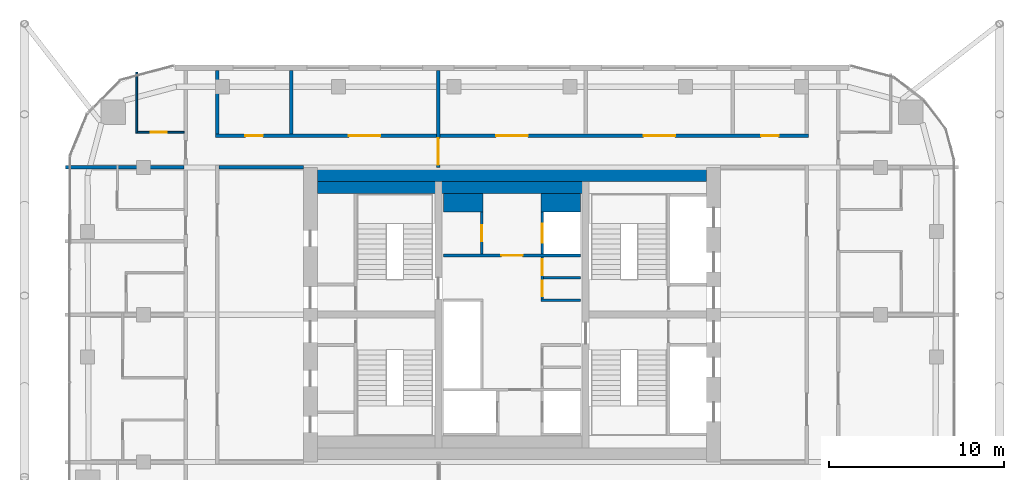
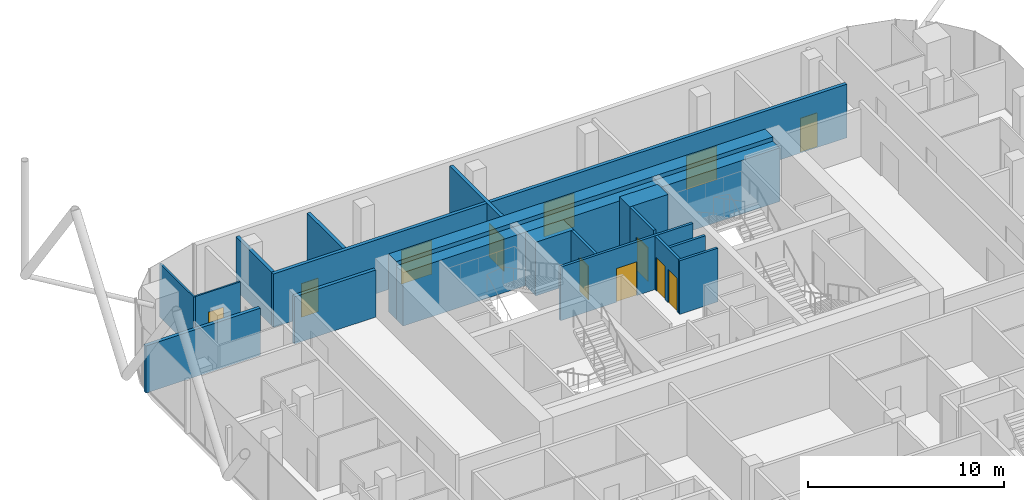
# One storey, part 25 of 28: 18 walls, 12 doors, 12 openings.
"""IFC4 building model written with IfcOpenShell, lengths in metres."""

from ifc_helpers import new_model, si_unit, direction, frame, frame_2d, origin, place, context, subcontext, project, spatial, rectangle, extrude, material, layer, layer_set, type_object, element, fill, save


model = new_model("IFC4")

# Units and contexts
model_context = context("Model", 3, precision=1e-05, world=origin(), true_north=direction((0.0, 1.0)))
body_context = subcontext(model_context, "Body", "Model", "MODEL_VIEW")
ifc_project = project(units=[si_unit("LENGTHUNIT", "METRE"), si_unit("AREAUNIT", "SQUARE_METRE"), si_unit("VOLUMEUNIT", "CUBIC_METRE"), si_unit("PLANEANGLEUNIT", "RADIAN"), si_unit("MASSUNIT", "GRAM", prefix="KILO")], contexts=[model_context])

# Site, building, storey
site_placement = place(None, origin())
site = spatial("IfcSite", under=ifc_project, at=site_placement, CompositionType="ELEMENT")
building_placement = place(site_placement, origin())
building = spatial("IfcBuilding", under=site, at=building_placement, Name="Marenta Gate Hotel Tower", CompositionType="ELEMENT")
storey_placement = place(building_placement, frame((0.0, 0.0, 227.300048828125)))
storey = spatial("IfcBuildingStorey", under=building, at=storey_placement, Name="L53", CompositionType="ELEMENT", Elevation=227.300048828125)

# Wall, opening, door
ifc_material_1 = material(Name="Concrete blockwork", Category="masonry")
ifc_layer_1 = layer(ifc_material_1, 0.199951171875)
ifc_layer_set_1 = layer_set([ifc_layer_1], Name="Concrete blockwork")
wall_type_1 = type_object("IfcWallType", Name="Compartment wall 200 REI 180", PredefinedType="PARTITIONING", material=ifc_layer_set_1)
wall_1_placement = place(storey_placement, frame((-4.199951171875, 16.800048828125, 0.0), z_axis=(0.0, 0.0, 1.0), x_axis=(0.0, 1.0, 0.0)))
wall_1 = element("IfcWall", 1, at=wall_1_placement, inside=storey, type_object=wall_type_1, Name="L53-PTN-W083", PredefinedType="PARTITIONING", context=body_context, shape_type="SweptSolid", body=[
    extrude(rectangle(XDim=5.5400390625, YDim=0.199951171875, at=frame_2d((2.77001953125, 0.0))), origin(), (0.0, 0.0, 1.0), 3.33984375),
])
opening_1_placement = place(wall_1_placement, frame((0.14990234375, 0.0, 0.0)))
opening_1 = element("IfcOpeningElement", 2, at=opening_1_placement, cuts=wall_1, Name="Opening G19-FD1", PredefinedType="OPENING", context=body_context, shape_type="SweptSolid", body=[
    extrude(rectangle(XDim=1.5, YDim=2.10009765625, at=frame_2d((0.75, 1.050048828125))), frame((0.0, 0.10009765625, 0.0), z_axis=(0.0, -1.0, 0.0), x_axis=(1.0, 0.0, 0.0)), (0.0, 0.0, 1.0), 0.199951171875),
])
ifc_material_2 = material(Name="Hollow steel door set", Category="steel")
door_type_1 = type_object("IfcDoorType", Name="Compartment fire door 1500x2100 EI 60", OperationType="DOUBLE_DOOR_DOUBLE_SWING", PredefinedType="DOOR", material=ifc_material_2)
door_1_placement = place(opening_1_placement, origin())
door_1 = element("IfcDoor", 3, at=door_1_placement, inside=storey, type_object=door_type_1, Name="L53-PD-FD01", OperationType="DOUBLE_DOOR_DOUBLE_SWING", OverallHeight=2.10009765625, OverallWidth=1.5, PredefinedType="DOOR", context=body_context, shape_type="SweptSolid", body=[
    extrude(rectangle(XDim=1.5, YDim=2.10009765625, at=frame_2d((0.75, 1.050048828125))), frame((0.0, 0.02490234375, 0.0), z_axis=(0.0, -1.0, 0.0), x_axis=(1.0, 0.0, 0.0)), (0.0, 0.0, 1.0), 0.050048828125),
])
fill(opening_1, door_1)

# Walls
ifc_material_3 = material(Name="Concrete blockwork", Category="masonry")
ifc_layer_2 = layer(ifc_material_3, 0.199951171875)
ifc_layer_set_2 = layer_set([ifc_layer_2], Name="Concrete blockwork")
wall_type_2 = type_object("IfcWallType", Name="Core boundary wall 200 REI 180", PredefinedType="PARTITIONING", material=ifc_layer_set_2)
wall_2_placement = place(storey_placement, frame((-16.699951171875, 16.800048828125, 0.0), z_axis=(0.0, 0.0, 1.0), x_axis=(1.0, 0.0, 0.0)))
element("IfcWall", 4, at=wall_2_placement, inside=storey, type_object=wall_type_2, Name="L53-CP-EW-WN", PredefinedType="PARTITIONING", context=body_context, shape_type="SweptSolid", body=[
    extrude(rectangle(XDim=4.800048828125, YDim=0.199951171875, at=frame_2d((2.39990234375, 0.0))), origin(), (0.0, 0.0, 1.0), 2.93994140625),
])
ifc_material_4 = material(Name="Concrete C40", Category="concrete")
ifc_layer_3 = layer(ifc_material_4, 0.699951171875)
ifc_layer_set_3 = layer_set([ifc_layer_3], Name="Concrete C40")
wall_type_3 = type_object("IfcWallType", Name="Core lining wall 700 REI 180", PredefinedType="PARTITIONING", material=ifc_layer_set_3)
wall_3_placement = place(storey_placement, frame((-11.10009765625, 15.64990234375, 0.0), z_axis=(0.0, 0.0, 1.0), x_axis=(1.0, 0.0, 0.0)))
element("IfcWall", 5, at=wall_3_placement, inside=storey, type_object=wall_type_3, Name="L53-CP-LN-N", PredefinedType="PARTITIONING", context=body_context, shape_type="SweptSolid", body=[
    extrude(rectangle(XDim=22.2001953125, YDim=0.699951171875, at=frame_2d((11.10009765625, 0.0))), origin(), (0.0, 0.0, 1.0), 3.33984375),
])

# Wall, opening, door
ifc_material_5 = material(Name="Concrete blockwork", Category="masonry")
ifc_layer_4 = layer(ifc_material_5, 0.14990234375)
ifc_layer_set_4 = layer_set([ifc_layer_4], Name="Concrete blockwork")
wall_type_4 = type_object("IfcWallType", Name="Core lobby partition 150 REI 180", PredefinedType="PARTITIONING", material=ifc_layer_set_4)
wall_4_placement = place(storey_placement, frame((-3.89990234375, 11.77490234375, 0.0), z_axis=(0.0, 0.0, 1.0), x_axis=(1.0, 0.0, 0.0)))
wall_4 = element("IfcWall", 6, at=wall_4_placement, inside=storey, type_object=wall_type_4, Name="L53-CP-CW-N", PredefinedType="PARTITIONING", context=body_context, shape_type="SweptSolid", body=[
    extrude(rectangle(XDim=7.7998046875, YDim=0.14990234375, at=frame_2d((3.89990234375, 0.0))), origin(), (0.0, 0.0, 1.0), 3.33984375),
])
opening_2_placement = place(wall_4_placement, frame((3.300048828125, 0.0, 0.0)))
opening_2 = element("IfcOpeningElement", 7, at=opening_2_placement, cuts=wall_4, Name="Opening FD-FFN", PredefinedType="OPENING", context=body_context, shape_type="SweptSolid", body=[
    extrude(rectangle(XDim=1.199951171875, YDim=2.10009765625, at=frame_2d((0.60009765625, 1.050048828125))), frame((0.0, 0.074951171875, 0.0), z_axis=(0.0, -1.0, 0.0), x_axis=(1.0, 0.0, 0.0)), (0.0, 0.0, 1.0), 0.14990234375),
])
ifc_material_6 = material(Name="Steel", Category="steel")
door_type_2 = type_object("IfcDoorType", Name="Core lobby door 1200x2100 FD60", OperationType="SINGLE_SWING_LEFT", PredefinedType="DOOR", material=ifc_material_6)
door_2_placement = place(opening_2_placement, origin())
door_2 = element("IfcDoor", 8, at=door_2_placement, inside=storey, type_object=door_type_2, Name="FD-FFN", OperationType="SINGLE_SWING_LEFT", OverallHeight=2.10009765625, OverallWidth=1.199951171875, PredefinedType="DOOR", context=body_context, shape_type="SweptSolid", body=[
    extrude(rectangle(XDim=1.199951171875, YDim=2.10009765625, at=frame_2d((0.60009765625, 1.050048828125))), frame((0.0, 0.02490234375, 0.0), z_axis=(0.0, -1.0, 0.0), x_axis=(1.0, 0.0, 0.0)), (0.0, 0.0, 1.0), 0.050048828125),
])
fill(opening_2, door_2)

# Wall
ifc_material_7 = material(Name="Concrete blockwork", Category="masonry")
ifc_layer_5 = layer(ifc_material_7, 1.050048828125)
ifc_layer_set_5 = layer_set([ifc_layer_5], Name="Concrete blockwork")
wall_type_5 = type_object("IfcWallType", Name="Core room partition 1050 REI 180", PredefinedType="PARTITIONING", material=ifc_layer_set_5)
wall_5_placement = place(storey_placement, frame((-3.89990234375, 14.77490234375, 0.0), z_axis=(0.0, 0.0, 1.0), x_axis=(1.0, 0.0, 0.0)))
element("IfcWall", 9, at=wall_5_placement, inside=storey, type_object=wall_type_5, Name="L53-CP-CW-W-riser-N", PredefinedType="PARTITIONING", context=body_context, shape_type="SweptSolid", body=[
    extrude(rectangle(XDim=2.25, YDim=1.050048828125, at=frame_2d((1.125, 0.0))), origin(), (0.0, 0.0, 1.0), 3.33984375),
])

# Wall, opening, door
ifc_material_8 = material(Name="Concrete blockwork", Category="masonry")
ifc_layer_6 = layer(ifc_material_8, 0.14990234375)
ifc_layer_set_6 = layer_set([ifc_layer_6], Name="Concrete blockwork")
wall_type_6 = type_object("IfcWallType", Name="Core room partition 150 REI 180", PredefinedType="PARTITIONING", material=ifc_layer_set_6)
wall_6_placement = place(storey_placement, frame((-1.72509765625, 11.85009765625, 0.0), z_axis=(0.0, 0.0, 1.0), x_axis=(0.0, 1.0, 0.0)))
wall_6 = element("IfcWall", 10, at=wall_6_placement, inside=storey, type_object=wall_type_6, Name="L53-CP-CW-W-riser-front", PredefinedType="PARTITIONING", context=body_context, shape_type="SweptSolid", body=[
    extrude(rectangle(XDim=2.39990234375, YDim=0.14990234375, at=frame_2d((1.199951171875, 0.0))), origin(), (0.0, 0.0, 1.0), 3.33984375),
])
opening_3_placement = place(wall_6_placement, frame((0.75, 0.0, 0.0)))
opening_3 = element("IfcOpeningElement", 11, at=opening_3_placement, cuts=wall_6, Name="Opening RD-CRISER", PredefinedType="OPENING", context=body_context, shape_type="SweptSolid", body=[
    extrude(rectangle(XDim=0.89990234375, YDim=2.10009765625, at=frame_2d((0.449951171875, 1.050048828125))), frame((0.0, 0.074951171875, 0.0), z_axis=(0.0, -1.0, 0.0), x_axis=(1.0, 0.0, 0.0)), (0.0, 0.0, 1.0), 0.14990234375),
])
ifc_material_9 = material(Name="Steel", Category="steel")
door_type_3 = type_object("IfcDoorType", Name="Core riser door 900x2100 FD60", OperationType="SINGLE_SWING_LEFT", PredefinedType="DOOR", material=ifc_material_9)
door_3_placement = place(opening_3_placement, origin())
door_3 = element("IfcDoor", 12, at=door_3_placement, inside=storey, type_object=door_type_3, Name="RD-CRISER", OperationType="SINGLE_SWING_LEFT", OverallHeight=2.10009765625, OverallWidth=0.89990234375, PredefinedType="DOOR", context=body_context, shape_type="SweptSolid", body=[
    extrude(rectangle(XDim=0.89990234375, YDim=2.10009765625, at=frame_2d((0.449951171875, 1.050048828125))), frame((0.0, 0.02490234375, 0.0), z_axis=(0.0, -1.0, 0.0), x_axis=(1.0, 0.0, 0.0)), (0.0, 0.0, 1.0), 0.050048828125),
])
fill(opening_3, door_3)

# Wall
wall_7_placement = place(storey_placement, frame((1.64990234375, 9.22509765625, 0.0), z_axis=(0.0, 0.0, 1.0), x_axis=(1.0, 0.0, 0.0)))
element("IfcWall", 13, at=wall_7_placement, inside=storey, type_object=wall_type_6, Name="L53-CP-CE-sep2", PredefinedType="PARTITIONING", context=body_context, shape_type="SweptSolid", body=[
    extrude(rectangle(XDim=2.25, YDim=0.14990234375, at=frame_2d((1.125, 0.0))), origin(), (0.0, 0.0, 1.0), 3.33984375),
])

# Wall, openings, doors
wall_8_placement = place(storey_placement, frame((1.72509765625, 9.300048828125, 0.0), z_axis=(0.0, 0.0, 1.0), x_axis=(0.0, 1.0, 0.0)))
wall_8 = element("IfcWall", 14, at=wall_8_placement, inside=storey, type_object=wall_type_6, Name="L53-CP-CE-front-2", PredefinedType="PARTITIONING", context=body_context, shape_type="SweptSolid", body=[
    extrude(rectangle(XDim=2.39990234375, YDim=0.14990234375, at=frame_2d((1.199951171875, 0.0))), origin(), (0.0, 0.0, 1.0), 3.33984375),
])
opening_4_placement = place(wall_8_placement, frame((0.14990234375, 0.0, 0.0)))
opening_4 = element("IfcOpeningElement", 15, at=opening_4_placement, cuts=wall_8, Name="Opening RD-CE-2a", PredefinedType="OPENING", context=body_context, shape_type="SweptSolid", body=[
    extrude(rectangle(XDim=0.89990234375, YDim=2.10009765625, at=frame_2d((0.449951171875, 1.050048828125))), frame((0.0, 0.074951171875, 0.0), z_axis=(0.0, -1.0, 0.0), x_axis=(1.0, 0.0, 0.0)), (0.0, 0.0, 1.0), 0.14990234375),
])
opening_5_placement = place(wall_8_placement, frame((1.35009765625, 0.0, 0.0)))
opening_5 = element("IfcOpeningElement", 16, at=opening_5_placement, cuts=wall_8, Name="Opening RD-CE-2b-B", PredefinedType="OPENING", context=body_context, shape_type="SweptSolid", body=[
    extrude(rectangle(XDim=0.89990234375, YDim=2.10009765625, at=frame_2d((0.449951171875, 1.050048828125))), frame((0.0, 0.074951171875, 0.0), z_axis=(0.0, -1.0, 0.0), x_axis=(1.0, 0.0, 0.0)), (0.0, 0.0, 1.0), 0.14990234375),
])
ifc_material_10 = material(Name="Steel", Category="steel")
door_type_4 = type_object("IfcDoorType", Name="Core service room door 900x2100 FD30S", OperationType="SINGLE_SWING_LEFT", PredefinedType="DOOR", material=ifc_material_10)
door_4_placement = place(opening_4_placement, origin())
door_4 = element("IfcDoor", 17, at=door_4_placement, inside=storey, type_object=door_type_4, Name="RD-CE-2a", OperationType="SINGLE_SWING_LEFT", OverallHeight=2.10009765625, OverallWidth=0.89990234375, PredefinedType="DOOR", context=body_context, shape_type="SweptSolid", body=[
    extrude(rectangle(XDim=0.89990234375, YDim=2.10009765625, at=frame_2d((0.449951171875, 1.050048828125))), frame((0.0, 0.02490234375, 0.0), z_axis=(0.0, -1.0, 0.0), x_axis=(1.0, 0.0, 0.0)), (0.0, 0.0, 1.0), 0.050048828125),
])
fill(opening_4, door_4)
door_5_placement = place(opening_5_placement, origin())
door_5 = element("IfcDoor", 18, at=door_5_placement, inside=storey, type_object=door_type_4, Name="RD-CE-2b-B", OperationType="SINGLE_SWING_LEFT", OverallHeight=2.10009765625, OverallWidth=0.89990234375, PredefinedType="DOOR", context=body_context, shape_type="SweptSolid", body=[
    extrude(rectangle(XDim=0.89990234375, YDim=2.10009765625, at=frame_2d((0.449951171875, 1.050048828125))), frame((0.0, 0.02490234375, 0.0), z_axis=(0.0, -1.0, 0.0), x_axis=(1.0, 0.0, 0.0)), (0.0, 0.0, 1.0), 0.050048828125),
])
fill(opening_5, door_5)

# Walls
wall_9_placement = place(storey_placement, frame((1.800048828125, 10.5, 0.0), z_axis=(0.0, 0.0, 1.0), x_axis=(1.0, 0.0, 0.0)))
element("IfcWall", 19, at=wall_9_placement, inside=storey, type_object=wall_type_6, Name="L53-CP-CE-RW-2", PredefinedType="PARTITIONING", context=body_context, shape_type="SweptSolid", body=[
    extrude(rectangle(XDim=2.099853515625, YDim=0.14990234375, at=frame_2d((1.0498046875, 0.0))), origin(), (0.0, 0.0, 1.0), 3.33984375),
])
ifc_material_11 = material(Name="Concrete C40", Category="concrete")
ifc_layer_7 = layer(ifc_material_11, 1.050048828125)
ifc_layer_set_7 = layer_set([ifc_layer_7], Name="Concrete C40")
wall_type_7 = type_object("IfcWallType", Name="Core shaft wall 1050 REI 180", PredefinedType="SHEAR", material=ifc_layer_set_7)
wall_10_placement = place(storey_placement, frame((1.64990234375, 14.77490234375, 0.0), z_axis=(0.0, 0.0, 1.0), x_axis=(1.0, 0.0, 0.0)))
element("IfcWall", 20, at=wall_10_placement, inside=storey, type_object=wall_type_7, Name="L53-SHF-CE-N-top", PredefinedType="SHEAR", context=body_context, shape_type="SweptSolid", body=[
    extrude(rectangle(XDim=2.25, YDim=1.050048828125, at=frame_2d((1.125, 0.0))), origin(), (0.0, 0.0, 1.0), 3.599853515625),
])

# Wall, opening, door
ifc_material_12 = material(Name="Concrete C40", Category="concrete")
ifc_layer_8 = layer(ifc_material_12, 0.14990234375)
ifc_layer_set_8 = layer_set([ifc_layer_8], Name="Concrete C40")
wall_type_8 = type_object("IfcWallType", Name="Core shaft wall 150 REI 180", PredefinedType="SHEAR", material=ifc_layer_set_8)
wall_11_placement = place(storey_placement, frame((1.72509765625, 11.85009765625, 0.0), z_axis=(0.0, 0.0, 1.0), x_axis=(0.0, 1.0, 0.0)))
wall_11 = element("IfcWall", 21, at=wall_11_placement, inside=storey, type_object=wall_type_8, Name="L53-SHF-CE-N-front2", PredefinedType="SHEAR", context=body_context, shape_type="SweptSolid", body=[
    extrude(rectangle(XDim=2.39990234375, YDim=0.14990234375, at=frame_2d((1.199951171875, 0.0))), origin(), (0.0, 0.0, 1.0), 3.599853515625),
])
opening_6_placement = place(wall_11_placement, frame((0.64990234375, 0.0, 0.0)))
opening_6 = element("IfcOpeningElement", 22, at=opening_6_placement, cuts=wall_11, Name="Opening LD-FF2", PredefinedType="OPENING", context=body_context, shape_type="SweptSolid", body=[
    extrude(rectangle(XDim=1.10009765625, YDim=2.10009765625, at=frame_2d((0.550048828125, 1.050048828125))), frame((0.0, 0.074951171875, 0.0), z_axis=(0.0, -1.0, 0.0), x_axis=(1.0, 0.0, 0.0)), (0.0, 0.0, 1.0), 0.14990234375),
])
ifc_material_13 = material(Name="Steel", Category="steel")
door_type_5 = type_object("IfcDoorType", Name="Core lift landing door 1100x2100 E 60", OperationType="SLIDING_TO_LEFT", PredefinedType="DOOR", material=ifc_material_13)
door_6_placement = place(opening_6_placement, origin())
door_6 = element("IfcDoor", 23, at=door_6_placement, inside=storey, type_object=door_type_5, Name="LD-FF2", OperationType="SLIDING_TO_LEFT", OverallHeight=2.10009765625, OverallWidth=1.10009765625, PredefinedType="DOOR", context=body_context, shape_type="SweptSolid", body=[
    extrude(rectangle(XDim=1.10009765625, YDim=2.10009765625, at=frame_2d((0.550048828125, 1.050048828125))), frame((0.0, 0.02490234375, 0.0), z_axis=(0.0, -1.0, 0.0), x_axis=(1.0, 0.0, 0.0)), (0.0, 0.0, 1.0), 0.050048828125),
])
fill(opening_6, door_6)

# Walls
ifc_material_14 = material(Name="Concrete C60", Category="concrete")
ifc_layer_9 = layer(ifc_material_14, 0.800048828125)
ifc_layer_set_9 = layer_set([ifc_layer_9], Name="Concrete C60")
wall_type_9 = type_object("IfcWallType", Name="Core wall 800 C60", PredefinedType="SHEAR", material=ifc_layer_set_9)
wall_12_placement = place(storey_placement, frame((-11.10009765625, 16.39990234375, 0.0), z_axis=(0.0, 0.0, 1.0), x_axis=(1.0, 0.0, 0.0)))
element("IfcWall", 24, at=wall_12_placement, inside=storey, type_object=wall_type_9, Name="L53-CORE-N", PredefinedType="SHEAR", context=body_context, shape_type="SweptSolid", body=[
    extrude(rectangle(XDim=22.2001953125, YDim=0.800048828125, at=frame_2d((11.10009765625, 0.0))), origin(), (0.0, 0.0, 1.0), 3.599853515625),
])
ifc_material_15 = material(Name="Gypsum board on steel stud", Category="steel")
ifc_layer_10 = layer(ifc_material_15, 0.199951171875)
ifc_layer_set_10 = layer_set([ifc_layer_10], Name="Gypsum board on steel stud")
wall_type_10 = type_object("IfcWallType", Name="Room corridor wall 200 EI 60", PredefinedType="PARTITIONING", material=ifc_layer_set_10)
wall_13_placement = place(storey_placement, frame((-16.800048828125, 18.699951171875, 0.0), z_axis=(0.0, 0.0, 1.0), x_axis=(0.0, 1.0, 0.0)))
element("IfcWall", 25, at=wall_13_placement, inside=storey, type_object=wall_type_10, Name="L53-PTN-W107", PredefinedType="PARTITIONING", context=body_context, shape_type="SweptSolid", body=[
    extrude(rectangle(XDim=3.64013671875, YDim=0.199951171875, at=frame_2d((1.820068359375, 0.0))), origin(), (0.0, 0.0, 1.0), 3.33984375),
])

# Wall, openings, doors
wall_14_placement = place(storey_placement, frame((-16.89990234375, 18.60009765625, 0.0), z_axis=(0.0, 0.0, 1.0), x_axis=(1.0, 0.0, 0.0)))
wall_14 = element("IfcWall", 26, at=wall_14_placement, inside=storey, type_object=wall_type_10, Name="L53-PTN-W111", PredefinedType="PARTITIONING", context=body_context, shape_type="SweptSolid", body=[
    extrude(rectangle(XDim=33.7998046875, YDim=0.199951171875, at=frame_2d((16.89990234375, 0.0))), origin(), (0.0, 0.0, 1.0), 3.33984375),
])
opening_7_placement = place(wall_14_placement, frame((1.699951171875, 0.0, 0.0)))
opening_7 = element("IfcOpeningElement", 27, at=opening_7_placement, cuts=wall_14, Name="Opening G19-31", PredefinedType="OPENING", context=body_context, shape_type="SweptSolid", body=[
    extrude(rectangle(XDim=1.0, YDim=2.10009765625, at=frame_2d((0.5, 1.050048828125))), frame((0.0, 0.10009765625, 0.0), z_axis=(0.0, -1.0, 0.0), x_axis=(1.0, 0.0, 0.0)), (0.0, 0.0, 1.0), 0.199951171875),
])
opening_8_placement = place(wall_14_placement, frame((7.60009765625, 0.0, 0.0)))
opening_8 = element("IfcOpeningElement", 28, at=opening_8_placement, cuts=wall_14, Name="Opening G19-32", PredefinedType="OPENING", context=body_context, shape_type="SweptSolid", body=[
    extrude(rectangle(XDim=1.800048828125, YDim=2.10009765625, at=frame_2d((0.89990234375, 1.050048828125))), frame((0.0, 0.10009765625, 0.0), z_axis=(0.0, -1.0, 0.0), x_axis=(1.0, 0.0, 0.0)), (0.0, 0.0, 1.0), 0.199951171875),
])
opening_9_placement = place(wall_14_placement, frame((16.0, 0.0, 0.0)))
opening_9 = element("IfcOpeningElement", 29, at=opening_9_placement, cuts=wall_14, Name="Opening G19-33", PredefinedType="OPENING", context=body_context, shape_type="SweptSolid", body=[
    extrude(rectangle(XDim=1.800048828125, YDim=2.10009765625, at=frame_2d((0.89990234375, 1.050048828125))), frame((0.0, 0.10009765625, 0.0), z_axis=(0.0, -1.0, 0.0), x_axis=(1.0, 0.0, 0.0)), (0.0, 0.0, 1.0), 0.199951171875),
])
opening_10_placement = place(wall_14_placement, frame((24.39990234375, 0.0, 0.0)))
opening_10 = element("IfcOpeningElement", 30, at=opening_10_placement, cuts=wall_14, Name="Opening G19-34", PredefinedType="OPENING", context=body_context, shape_type="SweptSolid", body=[
    extrude(rectangle(XDim=1.800048828125, YDim=2.10009765625, at=frame_2d((0.89990234375, 1.050048828125))), frame((0.0, 0.10009765625, 0.0), z_axis=(0.0, -1.0, 0.0), x_axis=(1.0, 0.0, 0.0)), (0.0, 0.0, 1.0), 0.199951171875),
])
opening_11_placement = place(wall_14_placement, frame((31.10009765625, 0.0, 0.0)))
opening_11 = element("IfcOpeningElement", 31, at=opening_11_placement, cuts=wall_14, Name="Opening G19-35", PredefinedType="OPENING", context=body_context, shape_type="SweptSolid", body=[
    extrude(rectangle(XDim=1.0, YDim=2.10009765625, at=frame_2d((0.5, 1.050048828125))), frame((0.0, 0.10009765625, 0.0), z_axis=(0.0, -1.0, 0.0), x_axis=(1.0, 0.0, 0.0)), (0.0, 0.0, 1.0), 0.199951171875),
])
ifc_material_16 = material(Name="Timber door leaf", Category="wood")
door_type_6 = type_object("IfcDoorType", Name="Room amenity door 1000x2100 EI 30", OperationType="NOTDEFINED", PredefinedType="DOOR", material=ifc_material_16)
door_7_placement = place(opening_7_placement, origin())
door_7 = element("IfcDoor", 32, at=door_7_placement, inside=storey, type_object=door_type_6, Name="L53-PD-D031", OperationType="SINGLE_SWING_LEFT", OverallHeight=2.10009765625, OverallWidth=1.0, PredefinedType="DOOR", context=body_context, shape_type="SweptSolid", body=[
    extrude(rectangle(XDim=1.0, YDim=2.10009765625, at=frame_2d((0.5, 1.050048828125))), frame((0.0, 0.02490234375, 0.0), z_axis=(0.0, -1.0, 0.0), x_axis=(1.0, 0.0, 0.0)), (0.0, 0.0, 1.0), 0.050048828125),
])
fill(opening_7, door_7)
door_8_placement = place(opening_11_placement, origin())
door_8 = element("IfcDoor", 33, at=door_8_placement, inside=storey, type_object=door_type_6, Name="L53-PD-D035", OperationType="SINGLE_SWING_LEFT", OverallHeight=2.10009765625, OverallWidth=1.0, PredefinedType="DOOR", context=body_context, shape_type="SweptSolid", body=[
    extrude(rectangle(XDim=1.0, YDim=2.10009765625, at=frame_2d((0.5, 1.050048828125))), frame((0.0, 0.02490234375, 0.0), z_axis=(0.0, -1.0, 0.0), x_axis=(1.0, 0.0, 0.0)), (0.0, 0.0, 1.0), 0.050048828125),
])
fill(opening_11, door_8)
ifc_material_17 = material(Name="Timber door leaf", Category="wood")
door_type_7 = type_object("IfcDoorType", Name="Room amenity door 1800x2100 EI 30", OperationType="DOUBLE_DOOR_SINGLE_SWING", PredefinedType="DOOR", material=ifc_material_17)
door_9_placement = place(opening_8_placement, origin())
door_9 = element("IfcDoor", 34, at=door_9_placement, inside=storey, type_object=door_type_7, Name="L53-PD-D032", OperationType="DOUBLE_DOOR_SINGLE_SWING", OverallHeight=2.10009765625, OverallWidth=1.800048828125, PredefinedType="DOOR", context=body_context, shape_type="SweptSolid", body=[
    extrude(rectangle(XDim=1.800048828125, YDim=2.10009765625, at=frame_2d((0.89990234375, 1.050048828125))), frame((0.0, 0.02490234375, 0.0), z_axis=(0.0, -1.0, 0.0), x_axis=(1.0, 0.0, 0.0)), (0.0, 0.0, 1.0), 0.050048828125),
])
fill(opening_8, door_9)
door_10_placement = place(opening_9_placement, origin())
door_10 = element("IfcDoor", 35, at=door_10_placement, inside=storey, type_object=door_type_7, Name="L53-PD-D033", OperationType="DOUBLE_DOOR_SINGLE_SWING", OverallHeight=2.10009765625, OverallWidth=1.800048828125, PredefinedType="DOOR", context=body_context, shape_type="SweptSolid", body=[
    extrude(rectangle(XDim=1.800048828125, YDim=2.10009765625, at=frame_2d((0.89990234375, 1.050048828125))), frame((0.0, 0.02490234375, 0.0), z_axis=(0.0, -1.0, 0.0), x_axis=(1.0, 0.0, 0.0)), (0.0, 0.0, 1.0), 0.050048828125),
])
fill(opening_9, door_10)
door_11_placement = place(opening_10_placement, origin())
door_11 = element("IfcDoor", 36, at=door_11_placement, inside=storey, type_object=door_type_7, Name="L53-PD-D034", OperationType="DOUBLE_DOOR_SINGLE_SWING", OverallHeight=2.10009765625, OverallWidth=1.800048828125, PredefinedType="DOOR", context=body_context, shape_type="SweptSolid", body=[
    extrude(rectangle(XDim=1.800048828125, YDim=2.10009765625, at=frame_2d((0.89990234375, 1.050048828125))), frame((0.0, 0.02490234375, 0.0), z_axis=(0.0, -1.0, 0.0), x_axis=(1.0, 0.0, 0.0)), (0.0, 0.0, 1.0), 0.050048828125),
])
fill(opening_10, door_11)

# Wall, opening, door
ifc_material_18 = material(Name="Gypsum board on steel stud", Category="steel")
ifc_layer_11 = layer(ifc_material_18, 0.10009765625)
ifc_layer_set_11 = layer_set([ifc_layer_11], Name="Gypsum board on steel stud")
wall_type_11 = type_object("IfcWallType", Name="Room partition 100", PredefinedType="PARTITIONING", material=ifc_layer_set_11)
wall_15_placement = place(storey_placement, frame((-21.35009765625, 18.800048828125, 0.0), z_axis=(0.0, 0.0, 1.0), x_axis=(1.0, 0.0, 0.0)))
wall_15 = element("IfcWall", 37, at=wall_15_placement, inside=storey, type_object=wall_type_11, Name="L53-PTN-W112", PredefinedType="PARTITIONING", context=body_context, shape_type="SweptSolid", body=[
    extrude(rectangle(XDim=2.650146484375, YDim=0.10009765625, at=frame_2d((1.3251953125, 0.0))), origin(), (0.0, 0.0, 1.0), 3.33984375),
])
opening_12_placement = place(wall_15_placement, frame((0.760009765625, 0.0, 0.0)))
opening_12 = element("IfcOpeningElement", 38, at=opening_12_placement, cuts=wall_15, Name="Opening G19-70", PredefinedType="OPENING", context=body_context, shape_type="SweptSolid", body=[
    extrude(rectangle(XDim=0.89990234375, YDim=2.10009765625, at=frame_2d((0.449951171875, 1.050048828125))), frame((0.0, 0.050048828125, 0.0), z_axis=(0.0, -1.0, 0.0), x_axis=(1.0, 0.0, 0.0)), (0.0, 0.0, 1.0), 0.10009765625),
])
ifc_material_19 = material(Name="Timber door leaf", Category="wood")
door_type_8 = type_object("IfcDoorType", Name="Guest bathroom door 900x2100", OperationType="NOTDEFINED", PredefinedType="DOOR", material=ifc_material_19)
door_12_placement = place(opening_12_placement, origin())
door_12 = element("IfcDoor", 39, at=door_12_placement, inside=storey, type_object=door_type_8, Name="L53-PD-D070", OperationType="SINGLE_SWING_LEFT", OverallHeight=2.10009765625, OverallWidth=0.89990234375, PredefinedType="DOOR", context=body_context, shape_type="SweptSolid", body=[
    extrude(rectangle(XDim=0.89990234375, YDim=2.10009765625, at=frame_2d((0.449951171875, 1.050048828125))), frame((0.0, 0.02490234375, 0.0), z_axis=(0.0, -1.0, 0.0), x_axis=(1.0, 0.0, 0.0)), (0.0, 0.0, 1.0), 0.050048828125),
])
fill(opening_12, door_12)

# Walls
wall_16_placement = place(storey_placement, frame((-21.39990234375, 18.75, 0.0), z_axis=(0.0, 0.0, 1.0), x_axis=(0.0, 1.0, 0.0)))
element("IfcWall", 40, at=wall_16_placement, inside=storey, type_object=wall_type_11, Name="L53-PTN-W115", PredefinedType="PARTITIONING", context=body_context, shape_type="SweptSolid", body=[
    extrude(rectangle(XDim=3.47802734375, YDim=0.10009765625, at=frame_2d((1.739013671875, 0.0))), origin(), (0.0, 0.0, 1.0), 3.33984375),
])
ifc_material_20 = material(Name="Gypsum board on steel stud", Category="steel")
ifc_layer_12 = layer(ifc_material_20, 0.199951171875)
ifc_layer_set_12 = layer_set([ifc_layer_12], Name="Gypsum board on steel stud")
wall_type_12 = type_object("IfcWallType", Name="Room party wall 200 EI 60", PredefinedType="PARTITIONING", material=ifc_layer_set_12)
wall_17_placement = place(storey_placement, frame((-12.60009765625, 18.699951171875, 0.0), z_axis=(0.0, 0.0, 1.0), x_axis=(0.0, 1.0, 0.0)))
element("IfcWall", 41, at=wall_17_placement, inside=storey, type_object=wall_type_12, Name="L53-PTN-W098", PredefinedType="PARTITIONING", context=body_context, shape_type="SweptSolid", body=[
    extrude(rectangle(XDim=3.64013671875, YDim=0.199951171875, at=frame_2d((1.820068359375, 0.0))), origin(), (0.0, 0.0, 1.0), 3.33984375),
])
wall_18_placement = place(storey_placement, frame((-25.447021484375, 16.800048828125, 0.0), z_axis=(0.0, 0.0, 1.0), x_axis=(1.0, 0.0, 0.0)))
element("IfcWall", 42, at=wall_18_placement, inside=storey, type_object=wall_type_12, Name="L53-PTN-W108", PredefinedType="PARTITIONING", context=body_context, shape_type="SweptSolid", body=[
    extrude(rectangle(XDim=6.7470703125, YDim=0.199951171875, at=frame_2d((3.37353515625, 0.0))), origin(), (0.0, 0.0, 1.0), 2.93994140625),
])

save(model, "model.ifc")
